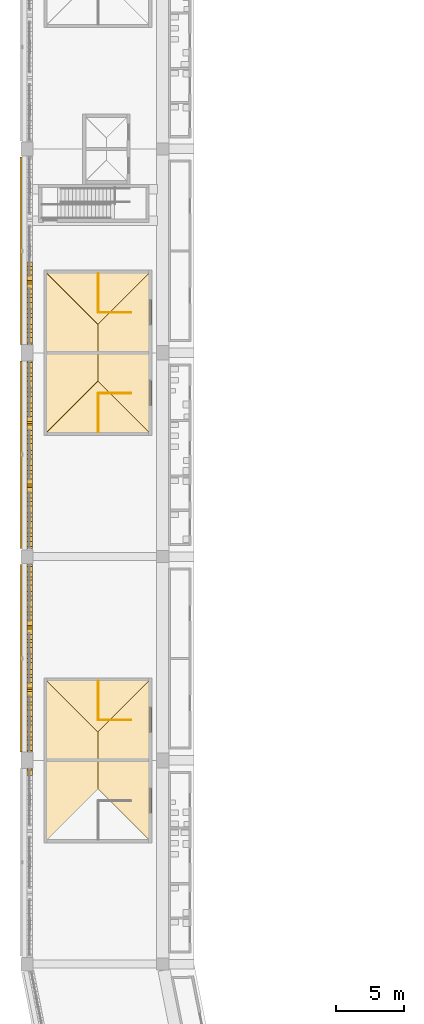
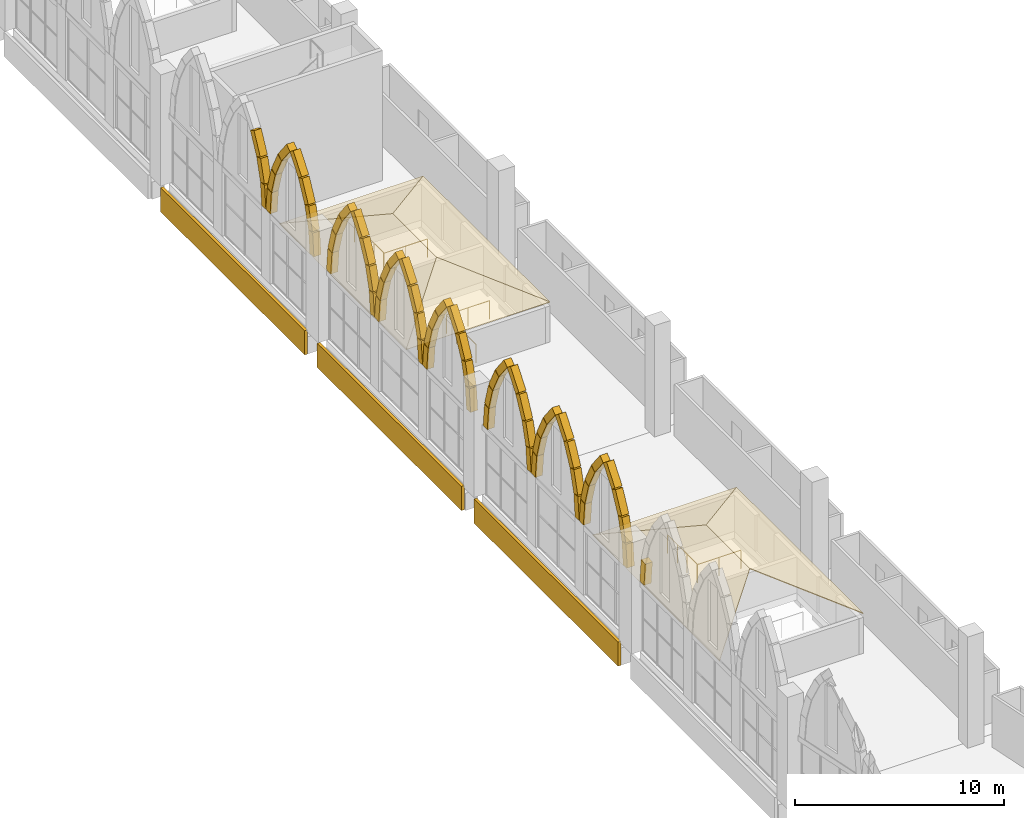
# One storey, part 109 of 130: 70 coverings, 6 railings.
"""IFC4 building model written with IfcOpenShell, lengths in metres."""

import ifcopenshell
import ifcopenshell.guid

model = None  # the IFC model being written
_history = None  # IfcOwnerHistory: only IFC2X3 demands one
_inside = {}  # id of a spatial element -> (the spatial element, [elements in it])
_under = {}  # id of a project, library or spatial element -> (it, [spatial elements below it])
_declared = {}  # id of a project -> (the project, [libraries it declares])
_typed = {}  # id of a type object -> (the type object, [elements of that type])
_made_of = {}  # id of a material, layer set ... -> (it, [elements and type objects made of it])


def new_model(schema):
    """Start an empty IFC model of exactly this schema.

    Asked for "IFC4X3", IfcOpenShell would pick the latest addendum, in which some entities
    have other attributes; the version numbers below select the first issue.
    IFC2X3 requires an IfcOwnerHistory on every rooted entity: one is made here for all.
    """
    global model, _history
    if schema == "IFC4X3":
        model = ifcopenshell.file(schema_version=(4, 3, 0, 0))
    else:
        model = ifcopenshell.file(schema=schema)
    _inside.clear()
    _under.clear()
    _declared.clear()
    _typed.clear()
    _made_of.clear()
    _history = None
    if model.schema == "IFC2X3":
        org = make("IfcOrganization", Name="unknown")
        user = make(
            "IfcPersonAndOrganization",
            ThePerson=make("IfcPerson", FamilyName="unknown"),
            TheOrganization=org,
        )
        app = make(
            "IfcApplication",
            ApplicationDeveloper=org,
            Version="unknown",
            ApplicationFullName="unknown",
            ApplicationIdentifier="unknown",
        )
        _history = make(
            "IfcOwnerHistory",
            OwningUser=user,
            OwningApplication=app,
            ChangeAction="ADDED",
            CreationDate=0,
        )
    return model


def make(cls, **values):
    """One entity of the class cls with the attributes given. An attribute that is None is left unset."""
    return model.create_entity(
        cls, **{name: value for name, value in values.items() if value is not None}
    )


def rooted(cls, **values):
    """An entity with a GlobalId (a new one), such as an element, a storey or a relation."""
    return make(cls, GlobalId=ifcopenshell.guid.new(), OwnerHistory=_history, **values)


def si_unit(unit_type, name, prefix=None):
    """IfcSIUnit, for example si_unit("LENGTHUNIT", "METRE", prefix="MILLI")."""
    return make("IfcSIUnit", UnitType=unit_type, Prefix=prefix, Name=name)


def assignment(units):
    """IfcUnitAssignment: the units of a project."""
    return None if units is None else make("IfcUnitAssignment", Units=units)


def point(xyz):
    """IfcCartesianPoint."""
    return None if xyz is None else make("IfcCartesianPoint", Coordinates=xyz)


def direction(xyz):
    """IfcDirection."""
    return None if xyz is None else make("IfcDirection", DirectionRatios=xyz)


def frame(location, z_axis=None, x_axis=None):
    """IfcAxis2Placement3D, a coordinate frame: its origin and axes. An axis left out is left unset."""
    return make(
        "IfcAxis2Placement3D",
        Location=point(location),
        Axis=direction(z_axis),
        RefDirection=direction(x_axis),
    )


def frame_2d(location, x_axis=None):
    """IfcAxis2Placement2D, a coordinate frame in the plane: its origin and x axis."""
    return make(
        "IfcAxis2Placement2D", Location=point(location), RefDirection=direction(x_axis)
    )


def origin():
    """The frame at (0, 0, 0) with its axes left unset."""
    return frame((0.0, 0.0, 0.0))


def origin_2d():
    """The frame at (0, 0) in the plane with its x axis left unset."""
    return frame_2d((0.0, 0.0))


def place(relative_to, where):
    """IfcLocalPlacement: puts the frame where relative to a parent placement (None: the world)."""
    return make(
        "IfcLocalPlacement", PlacementRelTo=relative_to, RelativePlacement=where
    )


def context(
    kind, dimensions, precision=None, world=None, true_north=None, identifier=None
):
    """IfcGeometricRepresentationContext, for example the 3D "Model" context."""
    return make(
        "IfcGeometricRepresentationContext",
        ContextIdentifier=identifier,
        ContextType=kind,
        CoordinateSpaceDimension=dimensions,
        Precision=precision,
        WorldCoordinateSystem=world,
        TrueNorth=true_north,
    )


def subcontext(parent, identifier, kind, view, scale=None):
    """IfcGeometricRepresentationSubContext, for example "Body" below "Model"."""
    return make(
        "IfcGeometricRepresentationSubContext",
        ContextIdentifier=identifier,
        ContextType=kind,
        ParentContext=parent,
        TargetScale=scale,
        TargetView=view,
    )


def project(units=None, contexts=None):
    """IfcProject with its units and contexts."""
    return rooted(
        "IfcProject",
        Name="project",
        RepresentationContexts=contexts,
        UnitsInContext=assignment(units),
    )


def spatial(cls, under=None, at=None, **own):
    """A site, building, storey or space (cls), placed at a placement, below another one or the project."""
    s = rooted(cls, ObjectPlacement=at, **own)
    if under is not None:
        _under.setdefault(under.id(), (under, []))[1].append(s)
    return s


def polyline(points):
    """IfcPolyline through the points."""
    return make("IfcPolyline", Points=[point(p) for p in points])


def profile(cls, at=None, kind="AREA", **sizes):
    """A parametric profile (cls). Its sizes go by their IFC names, for example OverallWidth=200.0."""
    return make(cls, ProfileType=kind, Position=at, **sizes)


def rectangle(**sizes):
    """IfcRectangleProfileDef."""
    return profile("IfcRectangleProfileDef", **sizes)


def circle(**sizes):
    """IfcCircleProfileDef."""
    return profile("IfcCircleProfileDef", **sizes)


def outline(outer, holes=None, kind="AREA"):
    """IfcArbitraryClosedProfileDef: a profile drawn as a closed curve; with holes, ...WithVoids."""
    if holes is None:
        return make("IfcArbitraryClosedProfileDef", ProfileType=kind, OuterCurve=outer)
    return make(
        "IfcArbitraryProfileDefWithVoids",
        ProfileType=kind,
        OuterCurve=outer,
        InnerCurves=holes,
    )


def extrude(swept, where, along, depth):
    """IfcExtrudedAreaSolid: the profile swept, set in the frame where, extruded along a direction by depth."""
    return make(
        "IfcExtrudedAreaSolid",
        SweptArea=swept,
        Position=where,
        ExtrudedDirection=direction(along),
        Depth=depth,
    )


def shape(context_of_items, identifier, shape_type, items):
    """IfcShapeRepresentation: the items that make up one representation, for example the "Body"."""
    return make(
        "IfcShapeRepresentation",
        ContextOfItems=context_of_items,
        RepresentationIdentifier=identifier,
        RepresentationType=shape_type,
        Items=items,
    )


def material(Name=None, Category=None):
    """IfcMaterial."""
    return make("IfcMaterial", Name=Name, Category=Category)


def layer(
    of_material, thickness, ventilated=None, Name=None, Category=None, Priority=None
):
    """IfcMaterialLayer: one layer of a wall or slab, of a material (None: an air gap)."""
    return make(
        "IfcMaterialLayer",
        Material=of_material,
        LayerThickness=thickness,
        IsVentilated=ventilated,
        Name=Name,
        Category=Category,
        Priority=Priority,
    )


def layer_set(layers, Name=None):
    """IfcMaterialLayerSet."""
    return make("IfcMaterialLayerSet", MaterialLayers=layers, LayerSetName=Name)


def material_profile(
    of_material, cross_section, Name=None, Category=None, Priority=None
):
    """IfcMaterialProfile: a cross section and its material."""
    return make(
        "IfcMaterialProfile",
        Name=Name,
        Material=of_material,
        Profile=cross_section,
        Priority=Priority,
        Category=Category,
    )


def profile_set(profiles, Name=None, composite=None):
    """IfcMaterialProfileSet."""
    return make(
        "IfcMaterialProfileSet",
        Name=Name,
        MaterialProfiles=profiles,
        CompositeProfile=composite,
    )


def made_of(thing, what):
    """Note that an element or type object is made of a material, layer set ...; save() writes the relation."""
    if what is not None:
        _made_of.setdefault(what.id(), (what, []))[1].append(thing)
    return thing


def type_object(cls, material=None, **own):
    """A type object (cls), such as IfcWallType, which elements share."""
    return made_of(rooted(cls, **own), material)


def element(
    cls,
    number,
    at=None,
    inside=None,
    cuts=None,
    type_object=None,
    material=None,
    context=None,
    identifier="Body",
    shape_type=None,
    held_by="IfcProductDefinitionShape",
    body=None,
    shapes=None,
    **own,
):
    """One element of the class cls, such as IfcWall. Its Tag is "e" and its number.

    at: its placement. inside: the storey or other place that contains it. cuts: it is an
    opening in that element (IfcRelVoidsElement). A single representation is given by context,
    identifier, shape_type and body (its items); several are given by shapes. held_by: the class
    of the entity that holds the representations. save() writes the other relations.
    """
    e = rooted(cls, Tag="e%d" % number, ObjectPlacement=at, **own)
    if body is not None:
        shapes = [shape(context, identifier, shape_type, body)]
    if shapes is not None:
        e.Representation = make(held_by, Representations=shapes)
    if inside is not None:
        _inside.setdefault(inside.id(), (inside, []))[1].append(e)
    if cuts is not None:
        rooted(
            "IfcRelVoidsElement", RelatingBuildingElement=cuts, RelatedOpeningElement=e
        )
    if type_object is not None:
        _typed.setdefault(type_object.id(), (type_object, []))[1].append(e)
    return made_of(e, material)


def aggregate(whole, parts):
    """IfcRelAggregates: a whole, such as a stair, and the parts it consists of."""
    return rooted("IfcRelAggregates", RelatingObject=whole, RelatedObjects=parts)


def save(model, path):
    """Write the relations noted so far, then the file.

    IfcRelAggregates (storeys below a building ...), IfcRelContainedInSpatialStructure (elements
    in a storey), IfcRelDefinesByType, IfcRelAssociatesMaterial and IfcRelDeclares: one each for
    every whole, place, type object, material and project.
    """
    for whole, parts in _under.values():
        aggregate(whole, parts)
    for where, things in _inside.values():
        rooted(
            "IfcRelContainedInSpatialStructure",
            RelatedElements=things,
            RelatingStructure=where,
        )
    for kind, things in _typed.values():
        rooted("IfcRelDefinesByType", RelatedObjects=things, RelatingType=kind)
    for what, things in _made_of.values():
        rooted("IfcRelAssociatesMaterial", RelatedObjects=things, RelatingMaterial=what)
    for by, libraries in _declared.values():
        rooted("IfcRelDeclares", RelatingContext=by, RelatedDefinitions=libraries)
    model.write(path)


model = new_model("IFC4")

# Units and contexts
model_context = context("Model", 3, precision=1e-05, world=origin(), true_north=direction((0.0, 1.0)))
body_context = subcontext(model_context, "Body", "Model", "MODEL_VIEW")
ifc_project = project(units=[si_unit("LENGTHUNIT", "METRE"), si_unit("AREAUNIT", "SQUARE_METRE"), si_unit("VOLUMEUNIT", "CUBIC_METRE"), si_unit("PLANEANGLEUNIT", "RADIAN"), si_unit("MASSUNIT", "GRAM", prefix="KILO")], contexts=[model_context])

# Site, building, storey
site_placement = place(None, origin())
site = spatial("IfcSite", under=ifc_project, at=site_placement, CompositionType="ELEMENT")
building_placement = place(site_placement, origin())
building = spatial("IfcBuilding", under=site, at=building_placement, Name="Ogive Plaza Stadium", CompositionType="ELEMENT")
storey_placement = place(building_placement, frame((0.0, 0.0, 22.5)))
storey = spatial("IfcBuildingStorey", under=building, at=storey_placement, Name="L05", CompositionType="ELEMENT", Elevation=22.5)

# Railings
ifc_material_1 = material(Name="Steel ASTM A572 Grade 50", Category="steel")
railing_type = type_object("IfcRailingType", Name="Guard 1100", PredefinedType="GUARDRAIL", material=ifc_material_1)
railing_1_placement = place(storey_placement, frame((-76.35009765625, -34.52490234375, 0.0)))
element("IfcRailing", 1, at=railing_1_placement, inside=storey, type_object=railing_type, Name="Stair well guard ST22A L05", PredefinedType="GUARDRAIL", context=body_context, shape_type="SweptSolid", body=[
    extrude(circle(Radius=0.02392578125, at=origin_2d()), frame((0.0, 0.0, 1.076171875), z_axis=(-1.0, 0.0, 0.0), x_axis=(0.0, -1.0, 0.0)), (0.0, 0.0, 1.0), 2.39990234375),
    extrude(circle(Radius=0.02099609375, at=origin_2d()), origin(), (0.0, 0.0, 1.0), 1.052001953125),
    extrude(circle(Radius=0.02099609375, at=origin_2d()), frame((-1.199951171875, 0.0, 0.0)), (0.0, 0.0, 1.0), 1.052001953125),
    extrude(circle(Radius=0.02099609375, at=origin_2d()), frame((-2.39990234375, 0.0, 0.0)), (0.0, 0.0, 1.0), 1.052001953125),
])
railing_2_placement = place(storey_placement, frame((-78.75, -31.675048828125, 0.0)))
element("IfcRailing", 2, at=railing_2_placement, inside=storey, type_object=railing_type, Name="Stair guard ST22A L05", PredefinedType="GUARDRAIL", context=body_context, shape_type="SweptSolid", body=[
    extrude(circle(Radius=0.02392578125, at=origin_2d()), frame((0.0, 0.0, 1.076171875), z_axis=(0.0, -1.0, 0.0), x_axis=(1.0, 0.0, 0.0)), (0.0, 0.0, 1.0), 2.800048828125),
    extrude(circle(Radius=0.02099609375, at=origin_2d()), origin(), (0.0, 0.0, 1.0), 1.052001953125),
    extrude(circle(Radius=0.02099609375, at=origin_2d()), frame((0.0, -0.933349609375, 0.0)), (0.0, 0.0, 1.0), 1.052001953125),
    extrude(circle(Radius=0.02099609375, at=origin_2d()), frame((0.0, -1.86669921875, 0.0)), (0.0, 0.0, 1.0), 1.052001953125),
    extrude(circle(Radius=0.02099609375, at=origin_2d()), frame((0.0, -2.800048828125, 0.0)), (0.0, 0.0, 1.0), 1.052001953125),
])
railing_3_placement = place(storey_placement, frame((-76.35009765625, -4.52490234375, 0.0)))
element("IfcRailing", 3, at=railing_3_placement, inside=storey, type_object=railing_type, Name="Stair well guard ST24A L05", PredefinedType="GUARDRAIL", context=body_context, shape_type="SweptSolid", body=[
    extrude(circle(Radius=0.02392578125, at=origin_2d()), frame((0.0, 0.0, 1.076171875), z_axis=(-1.0, 0.0, 0.0), x_axis=(0.0, -1.0, 0.0)), (0.0, 0.0, 1.0), 2.39990234375),
    extrude(circle(Radius=0.02099609375, at=origin_2d()), origin(), (0.0, 0.0, 1.0), 1.052001953125),
    extrude(circle(Radius=0.02099609375, at=origin_2d()), frame((-1.199951171875, 0.0, 0.0)), (0.0, 0.0, 1.0), 1.052001953125),
    extrude(circle(Radius=0.02099609375, at=origin_2d()), frame((-2.39990234375, 0.0, 0.0)), (0.0, 0.0, 1.0), 1.052001953125),
])
railing_4_placement = place(storey_placement, frame((-78.75, -1.675048828125, 0.0)))
element("IfcRailing", 4, at=railing_4_placement, inside=storey, type_object=railing_type, Name="Stair guard ST24A L05", PredefinedType="GUARDRAIL", context=body_context, shape_type="SweptSolid", body=[
    extrude(circle(Radius=0.02392578125, at=origin_2d()), frame((0.0, 0.0, 1.076171875), z_axis=(0.0, -1.0, 0.0), x_axis=(1.0, 0.0, 0.0)), (0.0, 0.0, 1.0), 2.800048828125),
    extrude(circle(Radius=0.02099609375, at=origin_2d()), origin(), (0.0, 0.0, 1.0), 1.052001953125),
    extrude(circle(Radius=0.02099609375, at=origin_2d()), frame((0.0, -0.933349609375, 0.0)), (0.0, 0.0, 1.0), 1.052001953125),
    extrude(circle(Radius=0.02099609375, at=origin_2d()), frame((0.0, -1.86669921875, 0.0)), (0.0, 0.0, 1.0), 1.052001953125),
    extrude(circle(Radius=0.02099609375, at=origin_2d()), frame((0.0, -2.800048828125, 0.0)), (0.0, 0.0, 1.0), 1.052001953125),
])
railing_5_placement = place(storey_placement, frame((-76.35009765625, -10.47509765625, 0.0)))
element("IfcRailing", 5, at=railing_5_placement, inside=storey, type_object=railing_type, Name="Stair well guard ST24B L05", PredefinedType="GUARDRAIL", context=body_context, shape_type="SweptSolid", body=[
    extrude(circle(Radius=0.02392578125, at=origin_2d()), frame((0.0, 0.0, 1.076171875), z_axis=(-1.0, 0.0, 0.0), x_axis=(0.0, -1.0, 0.0)), (0.0, 0.0, 1.0), 2.39990234375),
    extrude(circle(Radius=0.02099609375, at=origin_2d()), origin(), (0.0, 0.0, 1.0), 1.052001953125),
    extrude(circle(Radius=0.02099609375, at=origin_2d()), frame((-1.199951171875, 0.0, 0.0)), (0.0, 0.0, 1.0), 1.052001953125),
    extrude(circle(Radius=0.02099609375, at=origin_2d()), frame((-2.39990234375, 0.0, 0.0)), (0.0, 0.0, 1.0), 1.052001953125),
])
railing_6_placement = place(storey_placement, frame((-78.75, -10.52490234375, 0.0)))
element("IfcRailing", 6, at=railing_6_placement, inside=storey, type_object=railing_type, Name="Stair guard ST24B L05", PredefinedType="GUARDRAIL", context=body_context, shape_type="SweptSolid", body=[
    extrude(circle(Radius=0.02392578125, at=origin_2d()), frame((0.0, 0.0, 1.076171875), z_axis=(0.0, -1.0, 0.0), x_axis=(1.0, 0.0, 0.0)), (0.0, 0.0, 1.0), 2.800048828125),
    extrude(circle(Radius=0.02099609375, at=origin_2d()), origin(), (0.0, 0.0, 1.0), 1.052001953125),
    extrude(circle(Radius=0.02099609375, at=origin_2d()), frame((0.0, -0.933349609375, 0.0)), (0.0, 0.0, 1.0), 1.052001953125),
    extrude(circle(Radius=0.02099609375, at=origin_2d()), frame((0.0, -1.86669921875, 0.0)), (0.0, 0.0, 1.0), 1.052001953125),
    extrude(circle(Radius=0.02099609375, at=origin_2d()), frame((0.0, -2.800048828125, 0.0)), (0.0, 0.0, 1.0), 1.052001953125),
])

# Coverings
ifc_material_2 = material(Name="Cast stone (reconstituted limestone)", Category="masonry")
ifc_material_profile = material_profile(ifc_material_2, rectangle(XDim=0.39990234375, YDim=0.39990234375, at=origin_2d()), Name="Cast stone 400x400")
ifc_profile_set = profile_set([ifc_material_profile], Name="Cast stone (reconstituted limestone)")
covering_type_1 = type_object("IfcCoveringType", Name="Precast arch rib 400x400", PredefinedType="MOLDING", material=ifc_profile_set)
for number, where, z_axis, x_axis, name in (
    (7, (-83.800048828125, -38.425048828125, 5.4326171875), (0.0, 0.094171713154, -0.995555969517), (-1.0, 0.0, 0.0), "ARCH RIB B21 3.8"),
    (8, (-83.800048828125, -36.69921875, 4.118896484375), (0.0, 0.094171713154, 0.995555969517), (-1.0, 0.0, 0.0), "ARCH RIB B22 1.1"),
):
    element("IfcCovering", number, at=place(storey_placement, frame(where, z_axis=z_axis, x_axis=x_axis)), inside=storey, type_object=covering_type_1, Name=name, PredefinedType="MOLDING", context=body_context, shape_type="SweptSolid", body=[
        extrude(rectangle(XDim=0.39990234375, YDim=0.39990234375, at=origin_2d()), origin(), (0.0, 0.0, 1.0), 1.319580078125),
    ])
for number, where, z_axis, x_axis, name in (
    (9, (-83.800048828125, -36.56787109375, 5.4697265625), (0.0, 0.2789697965, 0.960299876414), (-1.0, 0.0, 0.0), "ARCH RIB B22 1.2"),
    (10, (-83.800048828125, -36.18603515625, 6.77197265625), (0.0, 0.453934094395, 0.891035261898), (-1.0, 0.0, 0.0), "ARCH RIB B22 1.3"),
):
    element("IfcCovering", number, at=place(storey_placement, frame(where, z_axis=z_axis, x_axis=x_axis)), inside=storey, type_object=covering_type_1, Name=name, PredefinedType="MOLDING", context=body_context, shape_type="SweptSolid", body=[
        extrude(rectangle(XDim=0.39990234375, YDim=0.39990234375, at=origin_2d()), origin(), (0.0, 0.0, 1.0), 1.31982421875),
    ])
for number, where, z_axis, x_axis, name in (
    (11, (-83.800048828125, -35.566650390625, 7.979736328125), (0.0, 0.612799939872, 0.790238086713), (-1.0, 0.0, 0.0), "ARCH RIB B22 1.4"),
    (12, (-83.800048828125, -34.44189453125, 9.0224609375), (0.0, 0.612799939872, -0.790238086713), (-1.0, 0.0, 0.0), "ARCH RIB B22 1.5"),
):
    element("IfcCovering", number, at=place(storey_placement, frame(where, z_axis=z_axis, x_axis=x_axis)), inside=storey, type_object=covering_type_1, Name=name, PredefinedType="MOLDING", context=body_context, shape_type="SweptSolid", body=[
        extrude(rectangle(XDim=0.39990234375, YDim=0.39990234375, at=origin_2d()), origin(), (0.0, 0.0, 1.0), 1.319580078125),
    ])
for number, where, z_axis, x_axis, name in (
    (13, (-83.800048828125, -33.613037109375, 7.947998046875), (0.0, 0.453787214374, -0.891110074048), (-1.0, 0.0, 0.0), "ARCH RIB B22 1.6"),
    (14, (-83.800048828125, -33.000244140625, 6.737060546875), (0.0, 0.2789697965, -0.960299876414), (-1.0, 0.0, 0.0), "ARCH RIB B22 1.7"),
):
    element("IfcCovering", number, at=place(storey_placement, frame(where, z_axis=z_axis, x_axis=x_axis)), inside=storey, type_object=covering_type_1, Name=name, PredefinedType="MOLDING", context=body_context, shape_type="SweptSolid", body=[
        extrude(rectangle(XDim=0.39990234375, YDim=0.39990234375, at=origin_2d()), origin(), (0.0, 0.0, 1.0), 1.31982421875),
    ])
for number, where, z_axis, x_axis, name in (
    (15, (-83.800048828125, -32.625, 5.4326171875), (0.0, 0.093988335931, -0.995573298511), (-1.0, 0.0, 0.0), "ARCH RIB B22 1.8"),
    (16, (-83.800048828125, -32.09912109375, 4.118896484375), (0.0, 0.094171713154, 0.995555969517), (-1.0, 0.0, 0.0), "ARCH RIB B22 2.1"),
    (17, (-83.800048828125, -31.9677734375, 5.4697265625), (0.0, 0.278799187003, 0.960349422516), (-1.0, 0.0, 0.0), "ARCH RIB B22 2.2"),
):
    element("IfcCovering", number, at=place(storey_placement, frame(where, z_axis=z_axis, x_axis=x_axis)), inside=storey, type_object=covering_type_1, Name=name, PredefinedType="MOLDING", context=body_context, shape_type="SweptSolid", body=[
        extrude(rectangle(XDim=0.39990234375, YDim=0.39990234375, at=origin_2d()), origin(), (0.0, 0.0, 1.0), 1.319580078125),
    ])
covering_1_placement = place(storey_placement, frame((-83.800048828125, -31.5859375, 6.77197265625), z_axis=(0.0, 0.453934094395, 0.891035261898), x_axis=(-1.0, 0.0, 0.0)))
element("IfcCovering", 18, at=covering_1_placement, inside=storey, type_object=covering_type_1, Name="ARCH RIB B22 2.3", PredefinedType="MOLDING", context=body_context, shape_type="SweptSolid", body=[
    extrude(rectangle(XDim=0.39990234375, YDim=0.39990234375, at=origin_2d()), origin(), (0.0, 0.0, 1.0), 1.31982421875),
])
for number, where, z_axis, x_axis, name in (
    (19, (-83.800048828125, -30.966796875, 7.979736328125), (0.0, 0.612915463399, 0.790148489036), (-1.0, 0.0, 0.0), "ARCH RIB B22 2.4"),
    (20, (-83.800048828125, -29.842041015625, 9.0224609375), (0.0, 0.612915463399, -0.790148489036), (-1.0, 0.0, 0.0), "ARCH RIB B22 2.5"),
):
    element("IfcCovering", number, at=place(storey_placement, frame(where, z_axis=z_axis, x_axis=x_axis)), inside=storey, type_object=covering_type_1, Name=name, PredefinedType="MOLDING", context=body_context, shape_type="SweptSolid", body=[
        extrude(rectangle(XDim=0.39990234375, YDim=0.39990234375, at=origin_2d()), origin(), (0.0, 0.0, 1.0), 1.319580078125),
    ])
covering_2_placement = place(storey_placement, frame((-83.800048828125, -29.01318359375, 7.947998046875), z_axis=(0.0, 0.453934094395, -0.891035261898), x_axis=(-1.0, 0.0, 0.0)))
element("IfcCovering", 21, at=covering_2_placement, inside=storey, type_object=covering_type_1, Name="ARCH RIB B22 2.6", PredefinedType="MOLDING", context=body_context, shape_type="SweptSolid", body=[
    extrude(rectangle(XDim=0.39990234375, YDim=0.39990234375, at=origin_2d()), origin(), (0.0, 0.0, 1.0), 1.31982421875),
])
for number, where, z_axis, x_axis, name in (
    (22, (-83.800048828125, -28.400146484375, 6.737060546875), (0.0, 0.278799187003, -0.960349422516), (-1.0, 0.0, 0.0), "ARCH RIB B22 2.7"),
    (23, (-83.800048828125, -28.025146484375, 5.4326171875), (0.0, 0.094171713154, -0.995555969517), (-1.0, 0.0, 0.0), "ARCH RIB B22 2.8"),
    (24, (-83.800048828125, -27.4990234375, 4.118896484375), (0.0, 0.093988335931, 0.995573298511), (-1.0, 0.0, 0.0), "ARCH RIB B22 3.1"),
):
    element("IfcCovering", number, at=place(storey_placement, frame(where, z_axis=z_axis, x_axis=x_axis)), inside=storey, type_object=covering_type_1, Name=name, PredefinedType="MOLDING", context=body_context, shape_type="SweptSolid", body=[
        extrude(rectangle(XDim=0.39990234375, YDim=0.39990234375, at=origin_2d()), origin(), (0.0, 0.0, 1.0), 1.319580078125),
    ])
for number, where, z_axis, x_axis, name in (
    (25, (-83.800048828125, -27.367919921875, 5.4697265625), (0.0, 0.2789697965, 0.960299876414), (-1.0, 0.0, 0.0), "ARCH RIB B22 3.2"),
    (26, (-83.800048828125, -26.98583984375, 6.77197265625), (0.0, 0.453787214374, 0.891110074048), (-1.0, 0.0, 0.0), "ARCH RIB B22 3.3"),
):
    element("IfcCovering", number, at=place(storey_placement, frame(where, z_axis=z_axis, x_axis=x_axis)), inside=storey, type_object=covering_type_1, Name=name, PredefinedType="MOLDING", context=body_context, shape_type="SweptSolid", body=[
        extrude(rectangle(XDim=0.39990234375, YDim=0.39990234375, at=origin_2d()), origin(), (0.0, 0.0, 1.0), 1.31982421875),
    ])
for number, where, z_axis, x_axis, name in (
    (27, (-83.800048828125, -26.36669921875, 7.979736328125), (0.0, 0.612799939872, 0.790238086713), (-1.0, 0.0, 0.0), "ARCH RIB B22 3.4"),
    (28, (-83.800048828125, -25.241943359375, 9.0224609375), (0.0, 0.612799939872, -0.790238086713), (-1.0, 0.0, 0.0), "ARCH RIB B22 3.5"),
):
    element("IfcCovering", number, at=place(storey_placement, frame(where, z_axis=z_axis, x_axis=x_axis)), inside=storey, type_object=covering_type_1, Name=name, PredefinedType="MOLDING", context=body_context, shape_type="SweptSolid", body=[
        extrude(rectangle(XDim=0.39990234375, YDim=0.39990234375, at=origin_2d()), origin(), (0.0, 0.0, 1.0), 1.319580078125),
    ])
for number, where, z_axis, x_axis, name in (
    (29, (-83.800048828125, -24.4130859375, 7.947998046875), (0.0, 0.453934094395, -0.891035261898), (-1.0, 0.0, 0.0), "ARCH RIB B22 3.6"),
    (30, (-83.800048828125, -23.80029296875, 6.737060546875), (0.0, 0.2789697965, -0.960299876414), (-1.0, 0.0, 0.0), "ARCH RIB B22 3.7"),
):
    element("IfcCovering", number, at=place(storey_placement, frame(where, z_axis=z_axis, x_axis=x_axis)), inside=storey, type_object=covering_type_1, Name=name, PredefinedType="MOLDING", context=body_context, shape_type="SweptSolid", body=[
        extrude(rectangle(XDim=0.39990234375, YDim=0.39990234375, at=origin_2d()), origin(), (0.0, 0.0, 1.0), 1.31982421875),
    ])
for number, where, z_axis, x_axis, name in (
    (31, (-83.800048828125, -23.425048828125, 5.4326171875), (0.0, 0.094171713154, -0.995555969517), (-1.0, 0.0, 0.0), "ARCH RIB B22 3.8"),
    (32, (-83.800048828125, -21.69921875, 4.118896484375), (0.0, 0.094171713154, 0.995555969517), (-1.0, 0.0, 0.0), "ARCH RIB B23 1.1"),
):
    element("IfcCovering", number, at=place(storey_placement, frame(where, z_axis=z_axis, x_axis=x_axis)), inside=storey, type_object=covering_type_1, Name=name, PredefinedType="MOLDING", context=body_context, shape_type="SweptSolid", body=[
        extrude(rectangle(XDim=0.39990234375, YDim=0.39990234375, at=origin_2d()), origin(), (0.0, 0.0, 1.0), 1.319580078125),
    ])
for number, where, z_axis, x_axis, name in (
    (33, (-83.800048828125, -21.56787109375, 5.4697265625), (0.0, 0.2789697965, 0.960299876414), (-1.0, 0.0, 0.0), "ARCH RIB B23 1.2"),
    (34, (-83.800048828125, -21.18603515625, 6.77197265625), (0.0, 0.453934094395, 0.891035261898), (-1.0, 0.0, 0.0), "ARCH RIB B23 1.3"),
):
    element("IfcCovering", number, at=place(storey_placement, frame(where, z_axis=z_axis, x_axis=x_axis)), inside=storey, type_object=covering_type_1, Name=name, PredefinedType="MOLDING", context=body_context, shape_type="SweptSolid", body=[
        extrude(rectangle(XDim=0.39990234375, YDim=0.39990234375, at=origin_2d()), origin(), (0.0, 0.0, 1.0), 1.31982421875),
    ])
for number, where, z_axis, x_axis, name in (
    (35, (-83.800048828125, -20.566650390625, 7.979736328125), (0.0, 0.612799939872, 0.790238086713), (-1.0, 0.0, 0.0), "ARCH RIB B23 1.4"),
    (36, (-83.800048828125, -19.44189453125, 9.0224609375), (0.0, 0.612799939872, -0.790238086713), (-1.0, 0.0, 0.0), "ARCH RIB B23 1.5"),
):
    element("IfcCovering", number, at=place(storey_placement, frame(where, z_axis=z_axis, x_axis=x_axis)), inside=storey, type_object=covering_type_1, Name=name, PredefinedType="MOLDING", context=body_context, shape_type="SweptSolid", body=[
        extrude(rectangle(XDim=0.39990234375, YDim=0.39990234375, at=origin_2d()), origin(), (0.0, 0.0, 1.0), 1.319580078125),
    ])
for number, where, z_axis, x_axis, name in (
    (37, (-83.800048828125, -18.613037109375, 7.947998046875), (0.0, 0.453787214374, -0.891110074048), (-1.0, 0.0, 0.0), "ARCH RIB B23 1.6"),
    (38, (-83.800048828125, -18.000244140625, 6.737060546875), (0.0, 0.2789697965, -0.960299876414), (-1.0, 0.0, 0.0), "ARCH RIB B23 1.7"),
):
    element("IfcCovering", number, at=place(storey_placement, frame(where, z_axis=z_axis, x_axis=x_axis)), inside=storey, type_object=covering_type_1, Name=name, PredefinedType="MOLDING", context=body_context, shape_type="SweptSolid", body=[
        extrude(rectangle(XDim=0.39990234375, YDim=0.39990234375, at=origin_2d()), origin(), (0.0, 0.0, 1.0), 1.31982421875),
    ])
for number, where, z_axis, x_axis, name in (
    (39, (-83.800048828125, -17.625, 5.4326171875), (0.0, 0.093988335931, -0.995573298511), (-1.0, 0.0, 0.0), "ARCH RIB B23 1.8"),
    (40, (-83.800048828125, -17.09912109375, 4.118896484375), (0.0, 0.094171713154, 0.995555969517), (-1.0, 0.0, 0.0), "ARCH RIB B23 2.1"),
    (41, (-83.800048828125, -16.9677734375, 5.4697265625), (0.0, 0.278799187003, 0.960349422516), (-1.0, 0.0, 0.0), "ARCH RIB B23 2.2"),
):
    element("IfcCovering", number, at=place(storey_placement, frame(where, z_axis=z_axis, x_axis=x_axis)), inside=storey, type_object=covering_type_1, Name=name, PredefinedType="MOLDING", context=body_context, shape_type="SweptSolid", body=[
        extrude(rectangle(XDim=0.39990234375, YDim=0.39990234375, at=origin_2d()), origin(), (0.0, 0.0, 1.0), 1.319580078125),
    ])
covering_3_placement = place(storey_placement, frame((-83.800048828125, -16.5859375, 6.77197265625), z_axis=(0.0, 0.453934094395, 0.891035261898), x_axis=(-1.0, 0.0, 0.0)))
element("IfcCovering", 42, at=covering_3_placement, inside=storey, type_object=covering_type_1, Name="ARCH RIB B23 2.3", PredefinedType="MOLDING", context=body_context, shape_type="SweptSolid", body=[
    extrude(rectangle(XDim=0.39990234375, YDim=0.39990234375, at=origin_2d()), origin(), (0.0, 0.0, 1.0), 1.31982421875),
])
for number, where, z_axis, x_axis, name in (
    (43, (-83.800048828125, -15.966796875, 7.979736328125), (0.0, 0.612915463399, 0.790148489036), (-1.0, 0.0, 0.0), "ARCH RIB B23 2.4"),
    (44, (-83.800048828125, -14.842041015625, 9.0224609375), (0.0, 0.612915463399, -0.790148489036), (-1.0, 0.0, 0.0), "ARCH RIB B23 2.5"),
):
    element("IfcCovering", number, at=place(storey_placement, frame(where, z_axis=z_axis, x_axis=x_axis)), inside=storey, type_object=covering_type_1, Name=name, PredefinedType="MOLDING", context=body_context, shape_type="SweptSolid", body=[
        extrude(rectangle(XDim=0.39990234375, YDim=0.39990234375, at=origin_2d()), origin(), (0.0, 0.0, 1.0), 1.319580078125),
    ])
covering_4_placement = place(storey_placement, frame((-83.800048828125, -14.01318359375, 7.947998046875), z_axis=(0.0, 0.453934094395, -0.891035261898), x_axis=(-1.0, 0.0, 0.0)))
element("IfcCovering", 45, at=covering_4_placement, inside=storey, type_object=covering_type_1, Name="ARCH RIB B23 2.6", PredefinedType="MOLDING", context=body_context, shape_type="SweptSolid", body=[
    extrude(rectangle(XDim=0.39990234375, YDim=0.39990234375, at=origin_2d()), origin(), (0.0, 0.0, 1.0), 1.31982421875),
])
for number, where, z_axis, x_axis, name in (
    (46, (-83.800048828125, -13.400146484375, 6.737060546875), (0.0, 0.278799187003, -0.960349422516), (-1.0, 0.0, 0.0), "ARCH RIB B23 2.7"),
    (47, (-83.800048828125, -13.025146484375, 5.4326171875), (0.0, 0.094171713154, -0.995555969517), (-1.0, 0.0, 0.0), "ARCH RIB B23 2.8"),
    (48, (-83.800048828125, -12.4990234375, 4.118896484375), (0.0, 0.093988335931, 0.995573298511), (-1.0, 0.0, 0.0), "ARCH RIB B23 3.1"),
):
    element("IfcCovering", number, at=place(storey_placement, frame(where, z_axis=z_axis, x_axis=x_axis)), inside=storey, type_object=covering_type_1, Name=name, PredefinedType="MOLDING", context=body_context, shape_type="SweptSolid", body=[
        extrude(rectangle(XDim=0.39990234375, YDim=0.39990234375, at=origin_2d()), origin(), (0.0, 0.0, 1.0), 1.319580078125),
    ])
for number, where, z_axis, x_axis, name in (
    (49, (-83.800048828125, -12.367919921875, 5.4697265625), (0.0, 0.2789697965, 0.960299876414), (-1.0, 0.0, 0.0), "ARCH RIB B23 3.2"),
    (50, (-83.800048828125, -11.98583984375, 6.77197265625), (0.0, 0.453787214374, 0.891110074048), (-1.0, 0.0, 0.0), "ARCH RIB B23 3.3"),
):
    element("IfcCovering", number, at=place(storey_placement, frame(where, z_axis=z_axis, x_axis=x_axis)), inside=storey, type_object=covering_type_1, Name=name, PredefinedType="MOLDING", context=body_context, shape_type="SweptSolid", body=[
        extrude(rectangle(XDim=0.39990234375, YDim=0.39990234375, at=origin_2d()), origin(), (0.0, 0.0, 1.0), 1.31982421875),
    ])
for number, where, z_axis, x_axis, name in (
    (51, (-83.800048828125, -11.36669921875, 7.979736328125), (0.0, 0.612799939872, 0.790238086713), (-1.0, 0.0, 0.0), "ARCH RIB B23 3.4"),
    (52, (-83.800048828125, -10.241943359375, 9.0224609375), (0.0, 0.612799939872, -0.790238086713), (-1.0, 0.0, 0.0), "ARCH RIB B23 3.5"),
):
    element("IfcCovering", number, at=place(storey_placement, frame(where, z_axis=z_axis, x_axis=x_axis)), inside=storey, type_object=covering_type_1, Name=name, PredefinedType="MOLDING", context=body_context, shape_type="SweptSolid", body=[
        extrude(rectangle(XDim=0.39990234375, YDim=0.39990234375, at=origin_2d()), origin(), (0.0, 0.0, 1.0), 1.319580078125),
    ])
for number, where, z_axis, x_axis, name in (
    (53, (-83.800048828125, -9.4130859375, 7.947998046875), (0.0, 0.453934094395, -0.891035261898), (-1.0, 0.0, 0.0), "ARCH RIB B23 3.6"),
    (54, (-83.800048828125, -8.80029296875, 6.737060546875), (0.0, 0.2789697965, -0.960299876414), (-1.0, 0.0, 0.0), "ARCH RIB B23 3.7"),
):
    element("IfcCovering", number, at=place(storey_placement, frame(where, z_axis=z_axis, x_axis=x_axis)), inside=storey, type_object=covering_type_1, Name=name, PredefinedType="MOLDING", context=body_context, shape_type="SweptSolid", body=[
        extrude(rectangle(XDim=0.39990234375, YDim=0.39990234375, at=origin_2d()), origin(), (0.0, 0.0, 1.0), 1.31982421875),
    ])
for number, where, z_axis, x_axis, name in (
    (55, (-83.800048828125, -8.425048828125, 5.4326171875), (0.0, 0.094171713154, -0.995555969517), (-1.0, 0.0, 0.0), "ARCH RIB B23 3.8"),
    (56, (-83.800048828125, -6.69921875, 4.118896484375), (0.0, 0.094171713154, 0.995555969517), (-1.0, 0.0, 0.0), "ARCH RIB B24 1.1"),
):
    element("IfcCovering", number, at=place(storey_placement, frame(where, z_axis=z_axis, x_axis=x_axis)), inside=storey, type_object=covering_type_1, Name=name, PredefinedType="MOLDING", context=body_context, shape_type="SweptSolid", body=[
        extrude(rectangle(XDim=0.39990234375, YDim=0.39990234375, at=origin_2d()), origin(), (0.0, 0.0, 1.0), 1.319580078125),
    ])
for number, where, z_axis, x_axis, name in (
    (57, (-83.800048828125, -6.56787109375, 5.4697265625), (0.0, 0.2789697965, 0.960299876414), (-1.0, 0.0, 0.0), "ARCH RIB B24 1.2"),
    (58, (-83.800048828125, -6.18603515625, 6.77197265625), (0.0, 0.453934094395, 0.891035261898), (-1.0, 0.0, 0.0), "ARCH RIB B24 1.3"),
):
    element("IfcCovering", number, at=place(storey_placement, frame(where, z_axis=z_axis, x_axis=x_axis)), inside=storey, type_object=covering_type_1, Name=name, PredefinedType="MOLDING", context=body_context, shape_type="SweptSolid", body=[
        extrude(rectangle(XDim=0.39990234375, YDim=0.39990234375, at=origin_2d()), origin(), (0.0, 0.0, 1.0), 1.31982421875),
    ])
for number, where, z_axis, x_axis, name in (
    (59, (-83.800048828125, -5.566650390625, 7.979736328125), (0.0, 0.612799939872, 0.790238086713), (-1.0, 0.0, 0.0), "ARCH RIB B24 1.4"),
    (60, (-83.800048828125, -4.44189453125, 9.0224609375), (0.0, 0.612799939872, -0.790238086713), (-1.0, 0.0, 0.0), "ARCH RIB B24 1.5"),
):
    element("IfcCovering", number, at=place(storey_placement, frame(where, z_axis=z_axis, x_axis=x_axis)), inside=storey, type_object=covering_type_1, Name=name, PredefinedType="MOLDING", context=body_context, shape_type="SweptSolid", body=[
        extrude(rectangle(XDim=0.39990234375, YDim=0.39990234375, at=origin_2d()), origin(), (0.0, 0.0, 1.0), 1.319580078125),
    ])
for number, where, z_axis, x_axis, name in (
    (61, (-83.800048828125, -3.613037109375, 7.947998046875), (0.0, 0.453787214374, -0.891110074048), (-1.0, 0.0, 0.0), "ARCH RIB B24 1.6"),
    (62, (-83.800048828125, -3.000244140625, 6.737060546875), (0.0, 0.2789697965, -0.960299876414), (-1.0, 0.0, 0.0), "ARCH RIB B24 1.7"),
):
    element("IfcCovering", number, at=place(storey_placement, frame(where, z_axis=z_axis, x_axis=x_axis)), inside=storey, type_object=covering_type_1, Name=name, PredefinedType="MOLDING", context=body_context, shape_type="SweptSolid", body=[
        extrude(rectangle(XDim=0.39990234375, YDim=0.39990234375, at=origin_2d()), origin(), (0.0, 0.0, 1.0), 1.31982421875),
    ])
for number, where, z_axis, x_axis, name in (
    (63, (-83.800048828125, -2.625, 5.4326171875), (0.0, 0.093988335931, -0.995573298511), (-1.0, 0.0, 0.0), "ARCH RIB B24 1.8"),
    (64, (-83.800048828125, -2.09912109375, 4.118896484375), (0.0, 0.094171713154, 0.995555969517), (-1.0, 0.0, 0.0), "ARCH RIB B24 2.1"),
    (65, (-83.800048828125, -1.9677734375, 5.4697265625), (0.0, 0.278799187003, 0.960349422516), (-1.0, 0.0, 0.0), "ARCH RIB B24 2.2"),
):
    element("IfcCovering", number, at=place(storey_placement, frame(where, z_axis=z_axis, x_axis=x_axis)), inside=storey, type_object=covering_type_1, Name=name, PredefinedType="MOLDING", context=body_context, shape_type="SweptSolid", body=[
        extrude(rectangle(XDim=0.39990234375, YDim=0.39990234375, at=origin_2d()), origin(), (0.0, 0.0, 1.0), 1.319580078125),
    ])
covering_5_placement = place(storey_placement, frame((-83.800048828125, -1.5859375, 6.77197265625), z_axis=(0.0, 0.453934094395, 0.891035261898), x_axis=(-1.0, 0.0, 0.0)))
element("IfcCovering", 66, at=covering_5_placement, inside=storey, type_object=covering_type_1, Name="ARCH RIB B24 2.3", PredefinedType="MOLDING", context=body_context, shape_type="SweptSolid", body=[
    extrude(rectangle(XDim=0.39990234375, YDim=0.39990234375, at=origin_2d()), origin(), (0.0, 0.0, 1.0), 1.31982421875),
])
ifc_material_3 = material(Name="Cast stone (reconstituted limestone)", Category="masonry")
ifc_layer_1 = layer(ifc_material_3, 0.159912109375)
ifc_layer_set_1 = layer_set([ifc_layer_1], Name="Precast spandrel cladding 160")
covering_type_2 = type_object("IfcCoveringType", Name="Precast spandrel cladding 160", PredefinedType="CLADDING", material=ifc_layer_set_1)
covering_6_placement = place(storey_placement, frame((0.0, 0.0, -1.409912109375)))
element("IfcCovering", 67, at=covering_6_placement, inside=storey, type_object=covering_type_2, Name="SPANDREL CLADDING B22 L05", PredefinedType="CLADDING", context=body_context, shape_type="SweptSolid", body=[
    extrude(outline(polyline([(-84.35009765625, -36.89990234375), (-84.35009765625, -23.10009765625), (-84.510009765625, -23.10009765625), (-84.510009765625, -36.89990234375), (-84.35009765625, -36.89990234375)])), origin(), (0.0, 0.0, 1.0), 1.409912109375),
])
covering_7_placement = place(storey_placement, frame((0.0, 0.0, -1.409912109375)))
element("IfcCovering", 68, at=covering_7_placement, inside=storey, type_object=covering_type_2, Name="SPANDREL CLADDING B23 L05", PredefinedType="CLADDING", context=body_context, shape_type="SweptSolid", body=[
    extrude(outline(polyline([(-84.35009765625, -21.89990234375), (-84.35009765625, -8.10009765625), (-84.510009765625, -8.10009765625), (-84.510009765625, -21.89990234375), (-84.35009765625, -21.89990234375)])), origin(), (0.0, 0.0, 1.0), 1.409912109375),
])
covering_8_placement = place(storey_placement, frame((0.0, 0.0, -1.409912109375)))
element("IfcCovering", 69, at=covering_8_placement, inside=storey, type_object=covering_type_2, Name="SPANDREL CLADDING B24 L05", PredefinedType="CLADDING", context=body_context, shape_type="SweptSolid", body=[
    extrude(outline(polyline([(-84.35009765625, -6.89990234375), (-84.35009765625, 6.89990234375), (-84.510009765625, 6.89990234375), (-84.510009765625, -6.89990234375), (-84.35009765625, -6.89990234375)])), origin(), (0.0, 0.0, 1.0), 1.409912109375),
])
ifc_material_4 = material(Name="Zinc standing seam", Category="metal")
ifc_layer_2 = layer(ifc_material_4, 0.0400390625)
ifc_layer_set_2 = layer_set([ifc_layer_2], Name="Turret roof zinc standing seam 40")
covering_type_3 = type_object("IfcCoveringType", Name="Turret roof zinc standing seam 40", PredefinedType="ROOFING", material=ifc_layer_set_2)
for number, where, z_axis, x_axis, name in (
    (70, (-82.760009765625, -31.425048828125, 2.337158203125), (-0.372970046205, 0.0, 0.927843383677), (0.0, -1.0, 0.0), "Stair core roof facet R22 1"),
    (71, (-74.800048828125, -43.574951171875, 2.337158203125), (0.372970046205, 0.0, 0.927843383677), (0.0, 1.0, 0.0), "Stair core roof facet R22 3"),
):
    element("IfcCovering", number, at=place(storey_placement, frame(where, z_axis=z_axis, x_axis=x_axis)), inside=storey, type_object=covering_type_3, Name=name, PredefinedType="ROOFING", context=body_context, shape_type="SweptSolid", body=[
        extrude(outline(polyline([(0.0, 0.0), (12.14990234375, 0.0), (8.169921875, 4.289495984738666), (3.97998046875, 4.289495984738666), (0.0, 0.0)])), origin(), (0.0, 0.0, -1.0), 0.0400390625),
    ])
covering_9_placement = place(storey_placement, frame((-74.800048828125, -31.425048828125, 2.337158203125), z_axis=(0.0, 0.372970046205, 0.927843383677), x_axis=(-1.0, 0.0, 0.0)))
element("IfcCovering", 72, at=covering_9_placement, inside=storey, type_object=covering_type_3, Name="Stair core roof facet R22 4", PredefinedType="ROOFING", context=body_context, shape_type="SweptSolid", body=[
    extrude(outline(polyline([(0.0, 0.0), (7.9599609375, 0.0), (3.97998046875, 4.289495984738666), (0.0, 0.0)])), origin(), (0.0, 0.0, -1.0), 0.0400390625),
])
covering_10_placement = place(storey_placement, frame((-82.760009765625, -1.425048828125, 2.337158203125), z_axis=(-0.372970046205, 0.0, 0.927843383677), x_axis=(0.0, -1.0, 0.0)))
element("IfcCovering", 73, at=covering_10_placement, inside=storey, type_object=covering_type_3, Name="Stair core roof facet R24 1", PredefinedType="ROOFING", context=body_context, shape_type="SweptSolid", body=[
    extrude(outline(polyline([(0.0, 0.0), (12.14990234375, 0.0), (8.169921875, 4.289495984738666), (3.97998046875, 4.289495984738666), (0.0, 0.0)])), origin(), (0.0, 0.0, -1.0), 0.0400390625),
])
covering_11_placement = place(storey_placement, frame((-82.760009765625, -13.574951171875, 2.337158203125), z_axis=(0.0, -0.372970046205, 0.927843383677), x_axis=(1.0, 0.0, 0.0)))
element("IfcCovering", 74, at=covering_11_placement, inside=storey, type_object=covering_type_3, Name="Stair core roof facet R24 2", PredefinedType="ROOFING", context=body_context, shape_type="SweptSolid", body=[
    extrude(outline(polyline([(0.0, 0.0), (7.9599609375, 0.0), (3.97998046875, 4.289495984738666), (0.0, 0.0)])), origin(), (0.0, 0.0, -1.0), 0.0400390625),
])
covering_12_placement = place(storey_placement, frame((-74.800048828125, -13.574951171875, 2.337158203125), z_axis=(0.372970046205, 0.0, 0.927843383677), x_axis=(0.0, 1.0, 0.0)))
element("IfcCovering", 75, at=covering_12_placement, inside=storey, type_object=covering_type_3, Name="Stair core roof facet R24 3", PredefinedType="ROOFING", context=body_context, shape_type="SweptSolid", body=[
    extrude(outline(polyline([(0.0, 0.0), (12.14990234375, 0.0), (8.169921875, 4.289495984738666), (3.97998046875, 4.289495984738666), (0.0, 0.0)])), origin(), (0.0, 0.0, -1.0), 0.0400390625),
])
covering_13_placement = place(storey_placement, frame((-74.800048828125, -1.425048828125, 2.337158203125), z_axis=(0.0, 0.372970046205, 0.927843383677), x_axis=(-1.0, 0.0, 0.0)))
element("IfcCovering", 76, at=covering_13_placement, inside=storey, type_object=covering_type_3, Name="Stair core roof facet R24 4", PredefinedType="ROOFING", context=body_context, shape_type="SweptSolid", body=[
    extrude(outline(polyline([(0.0, 0.0), (7.9599609375, 0.0), (3.97998046875, 4.289495984738666), (0.0, 0.0)])), origin(), (0.0, 0.0, -1.0), 0.0400390625),
])

save(model, "model.ifc")
